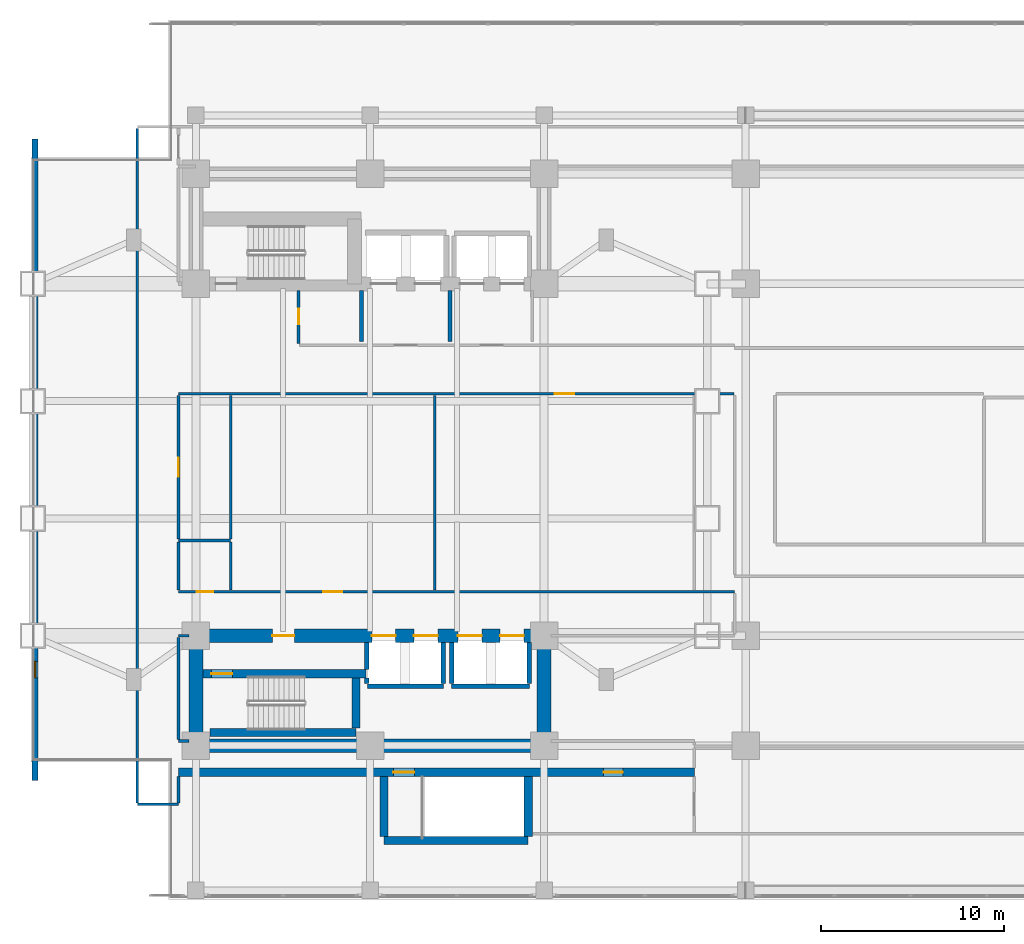
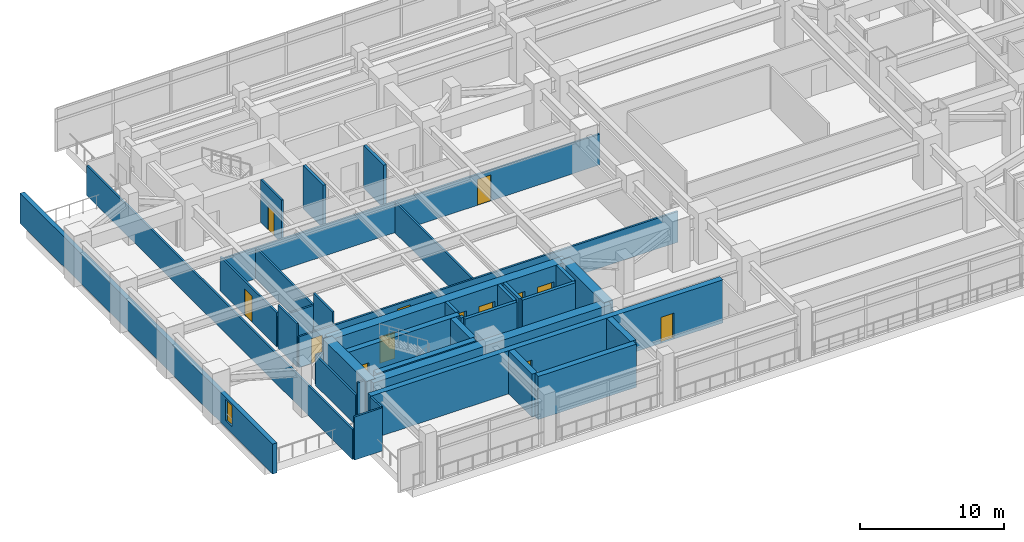
# One storey, part 14 of 27: 36 walls, 13 doors, 1 window, 14 openings.
"""IFC4 building model written with IfcOpenShell, lengths in metres."""

from ifc_helpers import new_model, si_unit, direction, frame, frame_2d, origin, place, context, subcontext, project, spatial, rectangle, extrude, material, layer, layer_set, type_object, element, fill, save


model = new_model("IFC4")

# Units and contexts
model_context = context("Model", 3, precision=1e-05, world=origin(), true_north=direction((0.0, 1.0)))
body_context = subcontext(model_context, "Body", "Model", "MODEL_VIEW")
ifc_project = project(units=[si_unit("LENGTHUNIT", "METRE"), si_unit("AREAUNIT", "SQUARE_METRE"), si_unit("VOLUMEUNIT", "CUBIC_METRE"), si_unit("PLANEANGLEUNIT", "RADIAN"), si_unit("MASSUNIT", "GRAM", prefix="KILO")], contexts=[model_context])

# Site, building, storey
site_placement = place(None, origin())
site = spatial("IfcSite", under=ifc_project, at=site_placement, CompositionType="ELEMENT")
building_placement = place(site_placement, origin())
building = spatial("IfcBuilding", under=site, at=building_placement, Name="Mirazonda Arch Towers", CompositionType="ELEMENT")
storey_placement = place(building_placement, frame((0.0, 0.0, 18.10009765625)))
storey = spatial("IfcBuildingStorey", under=building, at=storey_placement, Name="L04", CompositionType="ELEMENT", Elevation=18.10009765625)

# Wall
ifc_material_1 = material(Name="Concrete C50/60", Category="concrete")
ifc_layer_1 = layer(ifc_material_1, 0.449951171875, Name="WALL-CORE-450")
ifc_layer_set_1 = layer_set([ifc_layer_1], Name="Concrete C50/60")
wall_type_1 = type_object("IfcWallType", Name="WALL-CORE-450", PredefinedType="SHEAR", material=ifc_layer_set_1)
wall_1_placement = place(storey_placement, frame((21.27001953125, 7.219970703125, 0.0), z_axis=(0.0, 0.0, 1.0), x_axis=(1.0, 0.0, 0.0)))
element("IfcWall", 1, at=wall_1_placement, inside=storey, type_object=wall_type_1, Name="L04 Stair Core Shear Wall 001", PredefinedType="SHEAR", context=body_context, shape_type="SweptSolid", body=[
    extrude(rectangle(XDim=7.85986328125, YDim=0.449951171875, at=frame_2d((3.929931640625, 0.0))), origin(), (0.0, 0.0, 1.0), 3.64990234375),
])

# Wall, openings, doors
wall_2_placement = place(storey_placement, frame((10.050048828125, 10.949951171875, 0.0), z_axis=(0.0, 0.0, 1.0), x_axis=(1.0, 0.0, 0.0)))
wall_2 = element("IfcWall", 2, at=wall_2_placement, inside=storey, type_object=wall_type_1, Name="L04 Stair Core Shear Wall 007", PredefinedType="SHEAR", context=body_context, shape_type="SweptSolid", body=[
    extrude(rectangle(XDim=28.14990234375, YDim=0.449951171875, at=frame_2d((14.074951171875, 0.0))), origin(), (0.0, 0.0, 1.0), 3.64990234375),
])
opening_1_placement = place(wall_2_placement, frame((11.719970703125, 0.0, 0.0)))
opening_1 = element("IfcOpeningElement", 3, at=opening_1_placement, cuts=wall_2, Name="Opening DR-135", PredefinedType="OPENING", context=body_context, shape_type="SweptSolid", body=[
    extrude(rectangle(XDim=1.14990234375, YDim=2.199951171875, at=frame_2d((0.574951171875, 1.10009765625))), frame((0.0, 0.23486328125, 0.0), z_axis=(0.0, -1.0, 0.0), x_axis=(1.0, 0.0, 0.0)), (0.0, 0.0, 1.0), 0.469970703125),
])
opening_2_placement = place(wall_2_placement, frame((23.205078125, 0.0, 0.0)))
opening_2 = element("IfcOpeningElement", 4, at=opening_2_placement, cuts=wall_2, Name="Opening DR-121", PredefinedType="OPENING", context=body_context, shape_type="SweptSolid", body=[
    extrude(rectangle(XDim=1.050048828125, YDim=2.199951171875, at=frame_2d((0.52490234375, 1.10009765625))), frame((0.0, 0.23486328125, 0.0), z_axis=(0.0, -1.0, 0.0), x_axis=(1.0, 0.0, 0.0)), (0.0, 0.0, 1.0), 0.469970703125),
])
ifc_material_2 = material(Name="Architectural Brushed Steel S355", Category="steel")
door_type_1 = type_object("IfcDoorType", Name="DOOR-STAIR-FD90-1150", OperationType="NOTDEFINED", PredefinedType="DOOR", material=ifc_material_2)
door_1_placement = place(opening_1_placement, origin())
door_1 = element("IfcDoor", 5, at=door_1_placement, inside=storey, type_object=door_type_1, Name="L04 Protected Podium Stair West Door", OperationType="SINGLE_SWING_RIGHT", OverallHeight=2.199951171875, OverallWidth=1.14990234375, PredefinedType="DOOR", context=body_context, shape_type="SweptSolid", body=[
    extrude(rectangle(XDim=1.14990234375, YDim=2.199951171875, at=frame_2d((0.574951171875, 1.10009765625))), frame((0.0, 0.02490234375, 0.0), z_axis=(0.0, -1.0, 0.0), x_axis=(1.0, 0.0, 0.0)), (0.0, 0.0, 1.0), 0.050048828125),
])
fill(opening_1, door_1)
door_type_2 = type_object("IfcDoorType", Name="DOOR-SUITE-FD60-1050", OperationType="NOTDEFINED", PredefinedType="DOOR", material=ifc_material_2)
door_2_placement = place(opening_2_placement, origin())
door_2 = element("IfcDoor", 6, at=door_2_placement, inside=storey, type_object=door_type_2, Name="L04 L04 South-West Suite Door", OperationType="SINGLE_SWING_RIGHT", OverallHeight=2.199951171875, OverallWidth=1.050048828125, PredefinedType="DOOR", context=body_context, shape_type="SweptSolid", body=[
    extrude(rectangle(XDim=1.050048828125, YDim=2.199951171875, at=frame_2d((0.52490234375, 1.10009765625))), frame((0.0, 0.02490234375, 0.0), z_axis=(0.0, -1.0, 0.0), x_axis=(1.0, 0.0, 0.0)), (0.0, 0.0, 1.0), 0.050048828125),
])
fill(opening_2, door_2)

# Wall
wall_3_placement = place(storey_placement, frame((11.764892578125, 13.1201171875, 0.0), z_axis=(0.0, 0.0, 1.0), x_axis=(1.0, 0.0, 0.0)))
element("IfcWall", 7, at=wall_3_placement, inside=storey, type_object=wall_type_1, Name="L04 Stair Core Shear Wall 013", PredefinedType="SHEAR", context=body_context, shape_type="SweptSolid", body=[
    extrude(rectangle(XDim=7.965087890625, YDim=0.449951171875, at=frame_2d((3.982421875, 0.0))), origin(), (0.0, 0.0, 1.0), 3.64990234375),
])

# Wall, opening, door
wall_4_placement = place(storey_placement, frame((11.3701171875, 16.320068359375, 0.0), z_axis=(0.0, 0.0, 1.0), x_axis=(1.0, 0.0, 0.0)))
wall_4 = element("IfcWall", 8, at=wall_4_placement, inside=storey, type_object=wall_type_1, Name="L04 Stair Core Shear Wall 016", PredefinedType="SHEAR", context=body_context, shape_type="SweptSolid", body=[
    extrude(rectangle(XDim=8.909912109375, YDim=0.449951171875, at=frame_2d((4.455078125, 0.0))), origin(), (0.0, 0.0, 1.0), 3.64990234375),
])
opening_3_placement = place(wall_4_placement, frame((0.469970703125, 0.0, 0.0)))
opening_3 = element("IfcOpeningElement", 9, at=opening_3_placement, cuts=wall_4, Name="Opening DR-135", PredefinedType="OPENING", context=body_context, shape_type="SweptSolid", body=[
    extrude(rectangle(XDim=1.14990234375, YDim=2.199951171875, at=frame_2d((0.574951171875, 1.10009765625))), frame((0.0, 0.23486328125, 0.0), z_axis=(0.0, -1.0, 0.0), x_axis=(1.0, 0.0, 0.0)), (0.0, 0.0, 1.0), 0.469970703125),
])
door_3_placement = place(opening_3_placement, origin())
door_3 = element("IfcDoor", 10, at=door_3_placement, inside=storey, type_object=door_type_1, Name="L04 Protected Exit Stair South Door", OperationType="SINGLE_SWING_LEFT", OverallHeight=2.199951171875, OverallWidth=1.14990234375, PredefinedType="DOOR", context=body_context, shape_type="SweptSolid", body=[
    extrude(rectangle(XDim=1.14990234375, YDim=2.199951171875, at=frame_2d((0.574951171875, 1.10009765625))), frame((0.0, 0.02490234375, 0.0), z_axis=(0.0, -1.0, 0.0), x_axis=(1.0, 0.0, 0.0)), (0.0, 0.0, 1.0), 0.050048828125),
])
fill(opening_3, door_3)

# Walls
wall_5_placement = place(storey_placement, frame((19.72998046875, 13.35498046875, 0.0), z_axis=(0.0, 0.0, 1.0), x_axis=(0.0, 1.0, 0.0)))
element("IfcWall", 11, at=wall_5_placement, inside=storey, type_object=wall_type_1, Name="L04 Stair Core Shear Wall 061", PredefinedType="SHEAR", context=body_context, shape_type="SweptSolid", body=[
    extrude(rectangle(XDim=2.72998046875, YDim=0.449951171875, at=frame_2d((1.364990234375, 0.0))), origin(), (0.0, 0.0, 1.0), 3.64990234375),
])
for number, where, z_axis, x_axis, name in (
    (12, (21.27001953125, 7.455078125, 0.0), (0.0, 0.0, 1.0), (0.0, 1.0, 0.0), "L04 Stair Core Shear Wall 065"),
    (13, (29.1298828125, 7.455078125, 0.0), (0.0, 0.0, 1.0), (0.0, 1.0, 0.0), "L04 Stair Core Shear Wall 072"),
):
    element("IfcWall", number, at=place(storey_placement, frame(where, z_axis=z_axis, x_axis=x_axis)), inside=storey, type_object=wall_type_1, Name=name, PredefinedType="SHEAR", context=body_context, shape_type="SweptSolid", body=[
        extrude(rectangle(XDim=3.260009765625, YDim=0.449951171875, at=frame_2d((1.6298828125, 0.0))), origin(), (0.0, 0.0, 1.0), 3.64990234375),
    ])
ifc_material_3 = material(Name="Concrete C60/75", Category="concrete")
ifc_layer_2 = layer(ifc_material_3, 0.75, Name="WALL-CORE-750")
ifc_layer_set_2 = layer_set([ifc_layer_2], Name="Concrete C60/75")
wall_type_2 = type_object("IfcWallType", Name="WALL-CORE-750", PredefinedType="SHEAR", material=ifc_layer_set_2)
wall_6_placement = place(storey_placement, frame((11.0, 12.39990234375, 0.0), z_axis=(0.0, 0.0, 1.0), x_axis=(1.0, 0.0, 0.0)))
element("IfcWall", 14, at=wall_6_placement, inside=storey, type_object=wall_type_2, Name="L04 T1S-S Core Shear Wall", PredefinedType="SHEAR", context=body_context, shape_type="SweptSolid", body=[
    extrude(rectangle(XDim=19.0, YDim=0.75, at=frame_2d((9.5, 0.0))), origin(), (0.0, 0.0, 1.0), 3.64990234375),
])
for number, where, z_axis, x_axis, name in (
    (15, (11.0, 12.39990234375, 0.0), (0.0, 0.0, 1.0), (0.0, 1.0, 0.0), "L04 T1S-W Core Shear Wall"),
    (16, (30.0, 12.39990234375, 0.0), (0.0, 0.0, 1.0), (0.0, 1.0, 0.0), "L04 T1S-E Core Shear Wall"),
):
    element("IfcWall", number, at=place(storey_placement, frame(where, z_axis=z_axis, x_axis=x_axis)), inside=storey, type_object=wall_type_2, Name=name, PredefinedType="SHEAR", context=body_context, shape_type="SweptSolid", body=[
        extrude(rectangle(XDim=6.0, YDim=0.75, at=frame_2d((3.0, 0.0))), origin(), (0.0, 0.0, 1.0), 3.64990234375),
    ])

# Wall, openings, doors
wall_7_placement = place(storey_placement, frame((11.0, 18.39990234375, 0.0), z_axis=(0.0, 0.0, 1.0), x_axis=(1.0, 0.0, 0.0)))
wall_7 = element("IfcWall", 17, at=wall_7_placement, inside=storey, type_object=wall_type_2, Name="L04 T1S-N Core Shear Wall", PredefinedType="SHEAR", context=body_context, shape_type="SweptSolid", body=[
    extrude(rectangle(XDim=19.0, YDim=0.75, at=frame_2d((9.5, 0.0))), origin(), (0.0, 0.0, 1.0), 3.64990234375),
])
opening_4_placement = place(wall_7_placement, frame((4.175048828125, 0.0, 0.0)))
opening_4 = element("IfcOpeningElement", 18, at=opening_4_placement, cuts=wall_7, Name="Opening DR-117", PredefinedType="OPENING", context=body_context, shape_type="SweptSolid", body=[
    extrude(rectangle(XDim=1.199951171875, YDim=2.25, at=frame_2d((0.60009765625, 1.125))), frame((0.0, 0.385009765625, 0.0), z_axis=(0.0, -1.0, 0.0), x_axis=(1.0, 0.0, 0.0)), (0.0, 0.0, 1.0), 0.77001953125),
])
opening_5_placement = place(wall_7_placement, frame((9.60009765625, 0.0, 0.0)))
opening_5 = element("IfcOpeningElement", 19, at=opening_5_placement, cuts=wall_7, Name="Opening LD-111", PredefinedType="OPENING", context=body_context, shape_type="SweptSolid", body=[
    extrude(rectangle(XDim=1.300048828125, YDim=2.300048828125, at=frame_2d((0.64990234375, 1.14990234375))), frame((0.0, 0.385009765625, 0.0), z_axis=(0.0, -1.0, 0.0), x_axis=(1.0, 0.0, 0.0)), (0.0, 0.0, 1.0), 0.77001953125),
])
opening_6_placement = place(wall_7_placement, frame((11.89990234375, 0.0, 0.0)))
opening_6 = element("IfcOpeningElement", 20, at=opening_6_placement, cuts=wall_7, Name="Opening LD-111", PredefinedType="OPENING", context=body_context, shape_type="SweptSolid", body=[
    extrude(rectangle(XDim=1.300048828125, YDim=2.300048828125, at=frame_2d((0.64990234375, 1.14990234375))), frame((0.0, 0.385009765625, 0.0), z_axis=(0.0, -1.0, 0.0), x_axis=(1.0, 0.0, 0.0)), (0.0, 0.0, 1.0), 0.77001953125),
])
opening_7_placement = place(wall_7_placement, frame((14.300048828125, 0.0, 0.0)))
opening_7 = element("IfcOpeningElement", 21, at=opening_7_placement, cuts=wall_7, Name="Opening LD-111", PredefinedType="OPENING", context=body_context, shape_type="SweptSolid", body=[
    extrude(rectangle(XDim=1.300048828125, YDim=2.300048828125, at=frame_2d((0.64990234375, 1.14990234375))), frame((0.0, 0.385009765625, 0.0), z_axis=(0.0, -1.0, 0.0), x_axis=(1.0, 0.0, 0.0)), (0.0, 0.0, 1.0), 0.77001953125),
])
opening_8_placement = place(wall_7_placement, frame((16.60009765625, 0.0, 0.0)))
opening_8 = element("IfcOpeningElement", 22, at=opening_8_placement, cuts=wall_7, Name="Opening LD-111", PredefinedType="OPENING", context=body_context, shape_type="SweptSolid", body=[
    extrude(rectangle(XDim=1.300048828125, YDim=2.300048828125, at=frame_2d((0.64990234375, 1.14990234375))), frame((0.0, 0.385009765625, 0.0), z_axis=(0.0, -1.0, 0.0), x_axis=(1.0, 0.0, 0.0)), (0.0, 0.0, 1.0), 0.77001953125),
])
door_type_3 = type_object("IfcDoorType", Name="DOOR-FFL-FD90-1200", OperationType="NOTDEFINED", PredefinedType="DOOR", material=ifc_material_2)
door_4_placement = place(opening_4_placement, origin())
door_4 = element("IfcDoor", 23, at=door_4_placement, inside=storey, type_object=door_type_3, Name="L04 South Core Stair & Lift Lobby Door", OperationType="SINGLE_SWING_RIGHT", OverallHeight=2.25, OverallWidth=1.199951171875, PredefinedType="DOOR", context=body_context, shape_type="SweptSolid", body=[
    extrude(rectangle(XDim=1.199951171875, YDim=2.25, at=frame_2d((0.60009765625, 1.125))), frame((0.0, 0.02490234375, 0.0), z_axis=(0.0, -1.0, 0.0), x_axis=(1.0, 0.0, 0.0)), (0.0, 0.0, 1.0), 0.050048828125),
])
fill(opening_4, door_4)
door_type_4 = type_object("IfcDoorType", Name="DOOR-LIFT-LAND-1300", OperationType="NOTDEFINED", PredefinedType="DOOR", material=ifc_material_2)
door_5_placement = place(opening_5_placement, origin())
door_5 = element("IfcDoor", 24, at=door_5_placement, inside=storey, type_object=door_type_4, Name="L04 Lift Landing Sliding Door PL-T1M1", OperationType="DOUBLE_DOOR_SLIDING", OverallHeight=2.300048828125, OverallWidth=1.300048828125, PredefinedType="DOOR", context=body_context, shape_type="SweptSolid", body=[
    extrude(rectangle(XDim=1.300048828125, YDim=2.300048828125, at=frame_2d((0.64990234375, 1.14990234375))), frame((0.0, 0.02490234375, 0.0), z_axis=(0.0, -1.0, 0.0), x_axis=(1.0, 0.0, 0.0)), (0.0, 0.0, 1.0), 0.050048828125),
])
fill(opening_5, door_5)
door_6_placement = place(opening_6_placement, origin())
door_6 = element("IfcDoor", 25, at=door_6_placement, inside=storey, type_object=door_type_4, Name="L04 Lift Landing Sliding Door PL-T1M2", OperationType="DOUBLE_DOOR_SLIDING", OverallHeight=2.300048828125, OverallWidth=1.300048828125, PredefinedType="DOOR", context=body_context, shape_type="SweptSolid", body=[
    extrude(rectangle(XDim=1.300048828125, YDim=2.300048828125, at=frame_2d((0.64990234375, 1.14990234375))), frame((0.0, 0.02490234375, 0.0), z_axis=(0.0, -1.0, 0.0), x_axis=(1.0, 0.0, 0.0)), (0.0, 0.0, 1.0), 0.050048828125),
])
fill(opening_6, door_6)
door_7_placement = place(opening_7_placement, origin())
door_7 = element("IfcDoor", 26, at=door_7_placement, inside=storey, type_object=door_type_4, Name="L04 Lift Landing Sliding Door PL-T1H1", OperationType="DOUBLE_DOOR_SLIDING", OverallHeight=2.300048828125, OverallWidth=1.300048828125, PredefinedType="DOOR", context=body_context, shape_type="SweptSolid", body=[
    extrude(rectangle(XDim=1.300048828125, YDim=2.300048828125, at=frame_2d((0.64990234375, 1.14990234375))), frame((0.0, 0.02490234375, 0.0), z_axis=(0.0, -1.0, 0.0), x_axis=(1.0, 0.0, 0.0)), (0.0, 0.0, 1.0), 0.050048828125),
])
fill(opening_7, door_7)
door_8_placement = place(opening_8_placement, origin())
door_8 = element("IfcDoor", 27, at=door_8_placement, inside=storey, type_object=door_type_4, Name="L04 Lift Landing Sliding Door PL-T1H2", OperationType="DOUBLE_DOOR_SLIDING", OverallHeight=2.300048828125, OverallWidth=1.300048828125, PredefinedType="DOOR", context=body_context, shape_type="SweptSolid", body=[
    extrude(rectangle(XDim=1.300048828125, YDim=2.300048828125, at=frame_2d((0.64990234375, 1.14990234375))), frame((0.0, 0.02490234375, 0.0), z_axis=(0.0, -1.0, 0.0), x_axis=(1.0, 0.0, 0.0)), (0.0, 0.0, 1.0), 0.050048828125),
])
fill(opening_8, door_8)

# Wall, opening, window
ifc_material_4 = material(Name="Precast Concrete C40/50", Category="concrete")
ifc_layer_3 = layer(ifc_material_4, 0.35009765625, Name="WALL-EXT-WALL-350")
ifc_layer_set_3 = layer_set([ifc_layer_3], Name="Precast Concrete C40/50")
wall_type_3 = type_object("IfcWallType", Name="WALL-EXT-WALL-350", PredefinedType="SOLIDWALL", material=ifc_layer_set_3)
wall_8_placement = place(storey_placement, frame((2.219970703125, 45.5, 0.0), z_axis=(0.0, 0.0, 1.0), x_axis=(0.0, -1.0, 0.0)))
wall_8 = element("IfcWall", 28, at=wall_8_placement, inside=storey, type_object=wall_type_3, Name="L04 West Podium Terracotta Wall WL-L04-WW", PredefinedType="SOLIDWALL", context=body_context, shape_type="SweptSolid", body=[
    extrude(rectangle(XDim=35.0, YDim=0.35009765625, at=frame_2d((17.5, 0.0))), origin(), (0.0, 0.0, 1.0), 2.5419921875),
])
opening_9_placement = place(wall_8_placement, frame((28.5, 0.0, 0.592041015625)))
opening_9 = element("IfcOpeningElement", 29, at=opening_9_placement, cuts=wall_8, Name="Opening WN-101", PredefinedType="OPENING", context=body_context, shape_type="SweptSolid", body=[
    extrude(rectangle(XDim=0.89990234375, YDim=1.800048828125, at=frame_2d((0.449951171875, 0.89990234375))), frame((0.0, 0.18505859375, 0.0), z_axis=(0.0, -1.0, 0.0), x_axis=(1.0, 0.0, 0.0)), (0.0, 0.0, 1.0), 0.3701171875),
])
ifc_material_5 = material(Name="Insulated Low-E Solar Glass", Category="glass")
window_type = type_object("IfcWindowType", Name="WIN-STAIR-900x1800", PartitioningType="SINGLE_PANEL", PredefinedType="WINDOW", material=ifc_material_5)
window_placement = place(opening_9_placement, origin())
window = element("IfcWindow", 30, at=window_placement, inside=storey, type_object=window_type, Name="L04 Punched Facade Window WN-L04-WW4", OverallHeight=1.800048828125, OverallWidth=0.89990234375, PartitioningType="SINGLE_PANEL", PredefinedType="WINDOW", context=body_context, shape_type="SweptSolid", body=[
    extrude(rectangle(XDim=0.89990234375, YDim=1.800048828125, at=frame_2d((0.449951171875, 0.89990234375))), frame((0.0, 0.030029296875, 0.0), z_axis=(0.0, -1.0, 0.0), x_axis=(1.0, 0.0, 0.0)), (0.0, 0.0, 1.0), 0.06005859375),
])
fill(opening_9, window)

# Walls
ifc_material_6 = material(Name="Concrete C40/50", Category="concrete")
ifc_layer_4 = layer(ifc_material_6, 0.219970703125, Name="WALL-FFL-220")
ifc_layer_set_4 = layer_set([ifc_layer_4], Name="Concrete C40/50")
wall_type_4 = type_object("IfcWallType", Name="WALL-FFL-220", PredefinedType="SOLIDWALL", material=ifc_layer_set_4)
for number, where, z_axis, x_axis, name in (
    (31, (20.02490234375, 34.449951171875, 0.0), (0.0, 0.0, 1.0), (0.0, 1.0, 0.0), "L04 Interior Partition 062"),
    (32, (24.875, 34.449951171875, 0.0), (0.0, 0.0, 1.0), (0.0, 1.0, 0.0), "L04 Interior Partition 070"),
):
    element("IfcWall", number, at=place(storey_placement, frame(where, z_axis=z_axis, x_axis=x_axis)), inside=storey, type_object=wall_type_4, Name=name, PredefinedType="SOLIDWALL", context=body_context, shape_type="SweptSolid", body=[
        extrude(rectangle(XDim=2.780029296875, YDim=0.219970703125, at=frame_2d((1.39013671875, 0.0))), origin(), (0.0, 0.0, 1.0), 3.64990234375),
    ])
ifc_material_7 = material(Name="Fire-Rated Gypsum Stud Partition")
ifc_layer_5 = layer(ifc_material_7, 0.14990234375, Name="WALL-PART-CORR-150")
ifc_layer_set_5 = layer_set([ifc_layer_5], Name="Fire-Rated Gypsum Stud Partition")
wall_type_5 = type_object("IfcWallType", Name="WALL-PART-CORR-150", PredefinedType="PARTITIONING", material=ifc_layer_set_5)
wall_9_placement = place(storey_placement, frame((7.800048828125, 9.199951171875, 0.0), z_axis=(0.0, 0.0, 1.0), x_axis=(1.0, 0.0, 0.0)))
element("IfcWall", 33, at=wall_9_placement, inside=storey, type_object=wall_type_5, Name="L04 Interior Partition 005", PredefinedType="PARTITIONING", context=body_context, shape_type="SweptSolid", body=[
    extrude(rectangle(XDim=2.25, YDim=0.14990234375, at=frame_2d((1.125, 0.0))), origin(), (0.0, 0.0, 1.0), 3.64990234375),
])
wall_10_placement = place(storey_placement, frame((10.050048828125, 12.64990234375, 0.0), z_axis=(0.0, 0.0, 1.0), x_axis=(1.0, 0.0, 0.0)))
element("IfcWall", 34, at=wall_10_placement, inside=storey, type_object=wall_type_5, Name="L04 Interior Partition 010", PredefinedType="PARTITIONING", context=body_context, shape_type="SweptSolid", body=[
    extrude(rectangle(XDim=0.579833984375, YDim=0.14990234375, at=frame_2d((0.2900390625, 0.0))), origin(), (0.0, 0.0, 1.0), 3.64990234375),
])
wall_11_placement = place(storey_placement, frame((10.050048828125, 18.39990234375, 0.0), z_axis=(0.0, 0.0, 1.0), x_axis=(1.0, 0.0, 0.0)))
element("IfcWall", 35, at=wall_11_placement, inside=storey, type_object=wall_type_5, Name="L04 Interior Partition 018", PredefinedType="PARTITIONING", context=body_context, shape_type="SweptSolid", body=[
    extrude(rectangle(XDim=0.579833984375, YDim=0.14990234375, at=frame_2d((0.2900390625, 0.0))), origin(), (0.0, 0.0, 1.0), 2.5419921875),
])

# Wall, openings, doors
wall_12_placement = place(storey_placement, frame((10.050048828125, 20.800048828125, 0.0), z_axis=(0.0, 0.0, 1.0), x_axis=(1.0, 0.0, 0.0)))
wall_12 = element("IfcWall", 36, at=wall_12_placement, inside=storey, type_object=wall_type_5, Name="L04 Interior Partition 021", PredefinedType="PARTITIONING", context=body_context, shape_type="SweptSolid", body=[
    extrude(rectangle(XDim=30.349853515625, YDim=0.14990234375, at=frame_2d((15.1748046875, 0.0))), origin(), (0.0, 0.0, 1.0), 2.601806640625),
])
opening_10_placement = place(wall_12_placement, frame((0.9951171875, 0.0, 0.0)))
opening_10 = element("IfcOpeningElement", 37, at=opening_10_placement, cuts=wall_12, Name="Opening DR-120", PredefinedType="OPENING", context=body_context, shape_type="SweptSolid", body=[
    extrude(rectangle(XDim=0.89990234375, YDim=2.10009765625, at=frame_2d((0.449951171875, 1.050048828125))), frame((0.0, 0.0849609375, 0.0), z_axis=(0.0, -1.0, 0.0), x_axis=(1.0, 0.0, 0.0)), (0.0, 0.0, 1.0), 0.169921875),
])
opening_11_placement = place(wall_12_placement, frame((7.89111328125, 0.0, 0.0)))
opening_11 = element("IfcOpeningElement", 38, at=opening_11_placement, cuts=wall_12, Name="Opening DR-121", PredefinedType="OPENING", context=body_context, shape_type="SweptSolid", body=[
    extrude(rectangle(XDim=1.050048828125, YDim=2.199951171875, at=frame_2d((0.52490234375, 1.10009765625))), frame((0.0, 0.0849609375, 0.0), z_axis=(0.0, -1.0, 0.0), x_axis=(1.0, 0.0, 0.0)), (0.0, 0.0, 1.0), 0.169921875),
])
door_9_placement = place(opening_11_placement, origin())
door_9 = element("IfcDoor", 39, at=door_9_placement, inside=storey, type_object=door_type_2, Name="L04 Meditation & Acoustic Sanctuary Door", OperationType="SINGLE_SWING_LEFT", OverallHeight=2.199951171875, OverallWidth=1.050048828125, PredefinedType="DOOR", context=body_context, shape_type="SweptSolid", body=[
    extrude(rectangle(XDim=1.050048828125, YDim=2.199951171875, at=frame_2d((0.52490234375, 1.10009765625))), frame((0.0, 0.02490234375, 0.0), z_axis=(0.0, -1.0, 0.0), x_axis=(1.0, 0.0, 0.0)), (0.0, 0.0, 1.0), 0.050048828125),
])
fill(opening_11, door_9)
door_type_5 = type_object("IfcDoorType", Name="DOOR-WC-900", OperationType="NOTDEFINED", PredefinedType="DOOR", material=ifc_material_2)
door_10_placement = place(opening_10_placement, origin())
door_10 = element("IfcDoor", 40, at=door_10_placement, inside=storey, type_object=door_type_5, Name="L04 Common Podium Accessible WC Door", OperationType="SINGLE_SWING_RIGHT", OverallHeight=2.10009765625, OverallWidth=0.89990234375, PredefinedType="DOOR", context=body_context, shape_type="SweptSolid", body=[
    extrude(rectangle(XDim=0.89990234375, YDim=2.10009765625, at=frame_2d((0.449951171875, 1.050048828125))), frame((0.0, 0.02490234375, 0.0), z_axis=(0.0, -1.0, 0.0), x_axis=(1.0, 0.0, 0.0)), (0.0, 0.0, 1.0), 0.050048828125),
])
fill(opening_10, door_10)

# Wall
wall_13_placement = place(storey_placement, frame((10.050048828125, 23.60009765625, 0.0), z_axis=(0.0, 0.0, 1.0), x_axis=(1.0, 0.0, 0.0)))
element("IfcWall", 41, at=wall_13_placement, inside=storey, type_object=wall_type_5, Name="L04 Interior Partition 027", PredefinedType="PARTITIONING", context=body_context, shape_type="SweptSolid", body=[
    extrude(rectangle(XDim=2.849853515625, YDim=0.14990234375, at=frame_2d((1.4248046875, 0.0))), origin(), (0.0, 0.0, 1.0), 2.601806640625),
])

# Wall, opening, door
wall_14_placement = place(storey_placement, frame((10.050048828125, 31.60009765625, 0.0), z_axis=(0.0, 0.0, 1.0), x_axis=(1.0, 0.0, 0.0)))
wall_14 = element("IfcWall", 42, at=wall_14_placement, inside=storey, type_object=wall_type_5, Name="L04 Interior Partition 034", PredefinedType="PARTITIONING", context=body_context, shape_type="SweptSolid", body=[
    extrude(rectangle(XDim=30.31005859375, YDim=0.14990234375, at=frame_2d((15.155029296875, 0.0))), origin(), (0.0, 0.0, 1.0), 2.601806640625),
])
opening_12_placement = place(wall_14_placement, frame((20.541015625, 0.0, 0.0)))
opening_12 = element("IfcOpeningElement", 43, at=opening_12_placement, cuts=wall_14, Name="Opening DR-121", PredefinedType="OPENING", context=body_context, shape_type="SweptSolid", body=[
    extrude(rectangle(XDim=1.050048828125, YDim=2.199951171875, at=frame_2d((0.52490234375, 1.10009765625))), frame((0.0, 0.0849609375, 0.0), z_axis=(0.0, -1.0, 0.0), x_axis=(1.0, 0.0, 0.0)), (0.0, 0.0, 1.0), 0.169921875),
])
door_11_placement = place(opening_12_placement, origin())
door_11 = element("IfcDoor", 44, at=door_11_placement, inside=storey, type_object=door_type_2, Name="L04 Herbal Tea Elixir Lounge Door", OperationType="SINGLE_SWING_RIGHT", OverallHeight=2.199951171875, OverallWidth=1.050048828125, PredefinedType="DOOR", context=body_context, shape_type="SweptSolid", body=[
    extrude(rectangle(XDim=1.050048828125, YDim=2.199951171875, at=frame_2d((0.52490234375, 1.10009765625))), frame((0.0, 0.02490234375, 0.0), z_axis=(0.0, -1.0, 0.0), x_axis=(1.0, 0.0, 0.0)), (0.0, 0.0, 1.0), 0.050048828125),
])
fill(opening_12, door_11)

# Walls
wall_15_placement = place(storey_placement, frame((7.800048828125, 9.284912109375, 0.0), z_axis=(0.0, 0.0, 1.0), x_axis=(0.0, 1.0, 0.0)))
element("IfcWall", 45, at=wall_15_placement, inside=storey, type_object=wall_type_5, Name="L04 Interior Partition 051", PredefinedType="PARTITIONING", context=body_context, shape_type="SweptSolid", body=[
    extrude(rectangle(XDim=36.80517578125, YDim=0.14990234375, at=frame_2d((18.402587890625, 0.0))), origin(), (0.0, 0.0, 1.0), 2.5419921875),
])
wall_16_placement = place(storey_placement, frame((10.050048828125, 9.284912109375, 0.0), z_axis=(0.0, 0.0, 1.0), x_axis=(0.0, 1.0, 0.0)))
element("IfcWall", 46, at=wall_16_placement, inside=storey, type_object=wall_type_5, Name="L04 Interior Partition 052", PredefinedType="PARTITIONING", context=body_context, shape_type="SweptSolid", body=[
    extrude(rectangle(XDim=1.43017578125, YDim=0.14990234375, at=frame_2d((0.715087890625, 0.0))), origin(), (0.0, 0.0, 1.0), 3.64990234375),
])
wall_17_placement = place(storey_placement, frame((10.050048828125, 12.735107421875, 0.0), z_axis=(0.0, 0.0, 1.0), x_axis=(0.0, 1.0, 0.0)))
element("IfcWall", 47, at=wall_17_placement, inside=storey, type_object=wall_type_5, Name="L04 Interior Partition 053", PredefinedType="PARTITIONING", context=body_context, shape_type="SweptSolid", body=[
    extrude(rectangle(XDim=5.579833984375, YDim=0.14990234375, at=frame_2d((2.7900390625, 0.0))), origin(), (0.0, 0.0, 1.0), 2.5419921875),
])
wall_18_placement = place(storey_placement, frame((10.050048828125, 20.885009765625, 0.0), z_axis=(0.0, 0.0, 1.0), x_axis=(0.0, 1.0, 0.0)))
element("IfcWall", 48, at=wall_18_placement, inside=storey, type_object=wall_type_5, Name="L04 Interior Partition 054", PredefinedType="PARTITIONING", context=body_context, shape_type="SweptSolid", body=[
    extrude(rectangle(XDim=2.6298828125, YDim=0.14990234375, at=frame_2d((1.31494140625, 0.0))), origin(), (0.0, 0.0, 1.0), 3.64990234375),
])

# Wall, opening, door
wall_19_placement = place(storey_placement, frame((10.050048828125, 23.68505859375, 0.0), z_axis=(0.0, 0.0, 1.0), x_axis=(0.0, 1.0, 0.0)))
wall_19 = element("IfcWall", 49, at=wall_19_placement, inside=storey, type_object=wall_type_5, Name="L04 Interior Partition 055", PredefinedType="PARTITIONING", context=body_context, shape_type="SweptSolid", body=[
    extrude(rectangle(XDim=7.829833984375, YDim=0.14990234375, at=frame_2d((3.9150390625, 0.0))), origin(), (0.0, 0.0, 1.0), 2.868896484375),
])
opening_13_placement = place(wall_19_placement, frame((3.389892578125, 0.0, 0.0)))
opening_13 = element("IfcOpeningElement", 50, at=opening_13_placement, cuts=wall_19, Name="Opening DR-121", PredefinedType="OPENING", context=body_context, shape_type="SweptSolid", body=[
    extrude(rectangle(XDim=1.050048828125, YDim=2.199951171875, at=frame_2d((0.52490234375, 1.10009765625))), frame((0.0, 0.0849609375, 0.0), z_axis=(0.0, -1.0, 0.0), x_axis=(1.0, 0.0, 0.0)), (0.0, 0.0, 1.0), 0.169921875),
])
door_12_placement = place(opening_13_placement, origin())
door_12 = element("IfcDoor", 51, at=door_12_placement, inside=storey, type_object=door_type_2, Name="L04 L04 West Atrium Breakout Salon Door", OperationType="SINGLE_SWING_RIGHT", OverallHeight=2.199951171875, OverallWidth=1.050048828125, PredefinedType="DOOR", context=body_context, shape_type="SweptSolid", body=[
    extrude(rectangle(XDim=1.050048828125, YDim=2.199951171875, at=frame_2d((0.52490234375, 1.10009765625))), frame((0.0, 0.02490234375, 0.0), z_axis=(0.0, -1.0, 0.0), x_axis=(1.0, 0.0, 0.0)), (0.0, 0.0, 1.0), 0.050048828125),
])
fill(opening_13, door_12)

# Walls
wall_20_placement = place(storey_placement, frame((12.89990234375, 20.885009765625, 0.0), z_axis=(0.0, 0.0, 1.0), x_axis=(0.0, 1.0, 0.0)))
element("IfcWall", 52, at=wall_20_placement, inside=storey, type_object=wall_type_5, Name="L04 Interior Partition 058", PredefinedType="PARTITIONING", context=body_context, shape_type="SweptSolid", body=[
    extrude(rectangle(XDim=2.6298828125, YDim=0.14990234375, at=frame_2d((1.31494140625, 0.0))), origin(), (0.0, 0.0, 1.0), 3.64990234375),
])
wall_21_placement = place(storey_placement, frame((12.89990234375, 23.68505859375, 0.0), z_axis=(0.0, 0.0, 1.0), x_axis=(0.0, 1.0, 0.0)))
element("IfcWall", 53, at=wall_21_placement, inside=storey, type_object=wall_type_5, Name="L04 Interior Partition 059", PredefinedType="PARTITIONING", context=body_context, shape_type="SweptSolid", body=[
    extrude(rectangle(XDim=7.829833984375, YDim=0.14990234375, at=frame_2d((3.9150390625, 0.0))), origin(), (0.0, 0.0, 1.0), 2.601806640625),
])

# Wall, opening, door
wall_22_placement = place(storey_placement, frame((16.60009765625, 34.3349609375, 0.0), z_axis=(0.0, 0.0, 1.0), x_axis=(0.0, 1.0, 0.0)))
wall_22 = element("IfcWall", 54, at=wall_22_placement, inside=storey, type_object=wall_type_5, Name="L04 Interior Partition 060", PredefinedType="PARTITIONING", context=body_context, shape_type="SweptSolid", body=[
    extrude(rectangle(XDim=2.89501953125, YDim=0.14990234375, at=frame_2d((1.447509765625, 0.0))), origin(), (0.0, 0.0, 1.0), 3.64990234375),
])
opening_14_placement = place(wall_22_placement, frame((1.06005859375, 0.0, 0.0)))
opening_14 = element("IfcOpeningElement", 55, at=opening_14_placement, cuts=wall_22, Name="Opening DR-128", PredefinedType="OPENING", context=body_context, shape_type="SweptSolid", body=[
    extrude(rectangle(XDim=0.85009765625, YDim=2.010009765625, at=frame_2d((0.425048828125, 1.0048828125))), frame((0.0, 0.0849609375, 0.0), z_axis=(0.0, -1.0, 0.0), x_axis=(1.0, 0.0, 0.0)), (0.0, 0.0, 1.0), 0.169921875),
])
door_type_6 = type_object("IfcDoorType", Name="DOOR-RISER-FD60-850", OperationType="NOTDEFINED", PredefinedType="DOOR", material=ifc_material_2)
door_13_placement = place(opening_14_placement, origin())
door_13 = element("IfcDoor", 56, at=door_13_placement, inside=storey, type_object=door_type_6, Name="L04 Electrical & Housekeeping Service Room Door", OperationType="SINGLE_SWING_LEFT", OverallHeight=2.010009765625, OverallWidth=0.85009765625, PredefinedType="DOOR", context=body_context, shape_type="SweptSolid", body=[
    extrude(rectangle(XDim=0.85009765625, YDim=2.010009765625, at=frame_2d((0.425048828125, 1.0048828125))), frame((0.0, 0.02490234375, 0.0), z_axis=(0.0, -1.0, 0.0), x_axis=(1.0, 0.0, 0.0)), (0.0, 0.0, 1.0), 0.050048828125),
])
fill(opening_14, door_13)

# Walls
wall_23_placement = place(storey_placement, frame((24.031982421875, 20.885009765625, 0.0), z_axis=(0.0, 0.0, 1.0), x_axis=(0.0, 1.0, 0.0)))
element("IfcWall", 57, at=wall_23_placement, inside=storey, type_object=wall_type_5, Name="L04 Interior Partition 066", PredefinedType="PARTITIONING", context=body_context, shape_type="SweptSolid", body=[
    extrude(rectangle(XDim=10.6298828125, YDim=0.14990234375, at=frame_2d((5.31494140625, 0.0))), origin(), (0.0, 0.0, 1.0), 2.601806640625),
])
ifc_layer_6 = layer(ifc_material_6, 0.25, Name="WALL-SHAFT-250")
ifc_layer_set_6 = layer_set([ifc_layer_6], Name="Concrete C40/50")
wall_type_6 = type_object("IfcWallType", Name="WALL-SHAFT-250", PredefinedType="SOLIDWALL", material=ifc_layer_set_6)
wall_24_placement = place(storey_placement, frame((20.35009765625, 15.64990234375, 0.0), z_axis=(0.0, 0.0, 1.0), x_axis=(1.0, 0.0, 0.0)))
element("IfcWall", 58, at=wall_24_placement, inside=storey, type_object=wall_type_6, Name="L04 Interior Partition 014", PredefinedType="SOLIDWALL", context=body_context, shape_type="SweptSolid", body=[
    extrude(rectangle(XDim=4.14990234375, YDim=0.25, at=frame_2d((2.074951171875, 0.0))), origin(), (0.0, 0.0, 1.0), 3.64990234375),
])
wall_25_placement = place(storey_placement, frame((24.949951171875, 15.64990234375, 0.0), z_axis=(0.0, 0.0, 1.0), x_axis=(1.0, 0.0, 0.0)))
element("IfcWall", 59, at=wall_25_placement, inside=storey, type_object=wall_type_6, Name="L04 Interior Partition 015", PredefinedType="SOLIDWALL", context=body_context, shape_type="SweptSolid", body=[
    extrude(rectangle(XDim=4.25, YDim=0.25, at=frame_2d((2.125, 0.0))), origin(), (0.0, 0.0, 1.0), 3.64990234375),
])
wall_26_placement = place(storey_placement, frame((20.31494140625, 15.784912109375, 0.0), z_axis=(0.0, 0.0, 1.0), x_axis=(0.0, 1.0, 0.0)))
element("IfcWall", 60, at=wall_26_placement, inside=storey, type_object=wall_type_6, Name="L04 Interior Partition 063", PredefinedType="SOLIDWALL", context=body_context, shape_type="SweptSolid", body=[
    extrude(rectangle(XDim=0.300048828125, YDim=0.25, at=frame_2d((0.14990234375, 0.0))), origin(), (0.0, 0.0, 1.0), 3.64990234375),
])
wall_27_placement = place(storey_placement, frame((20.31494140625, 16.554931640625, 0.0), z_axis=(0.0, 0.0, 1.0), x_axis=(0.0, 1.0, 0.0)))
element("IfcWall", 61, at=wall_27_placement, inside=storey, type_object=wall_type_6, Name="L04 Interior Partition 064", PredefinedType="SOLIDWALL", context=body_context, shape_type="SweptSolid", body=[
    extrude(rectangle(XDim=1.47509765625, YDim=0.25, at=frame_2d((0.737548828125, 0.0))), origin(), (0.0, 0.0, 1.0), 3.64990234375),
])
for number, where, z_axis, x_axis, name in (
    (62, (24.5, 15.784912109375, 0.0), (0.0, 0.0, 1.0), (0.0, 1.0, 0.0), "L04 Interior Partition 067"),
    (63, (24.949951171875, 15.784912109375, 0.0), (0.0, 0.0, 1.0), (0.0, 1.0, 0.0), "L04 Interior Partition 069"),
    (64, (29.199951171875, 15.784912109375, 0.0), (0.0, 0.0, 1.0), (0.0, 1.0, 0.0), "L04 Interior Partition 073"),
):
    element("IfcWall", number, at=place(storey_placement, frame(where, z_axis=z_axis, x_axis=x_axis)), inside=storey, type_object=wall_type_6, Name=name, PredefinedType="SOLIDWALL", context=body_context, shape_type="SweptSolid", body=[
        extrude(rectangle(XDim=2.2451171875, YDim=0.25, at=frame_2d((1.12255859375, 0.0))), origin(), (0.0, 0.0, 1.0), 3.64990234375),
    ])

save(model, "model.ifc")
